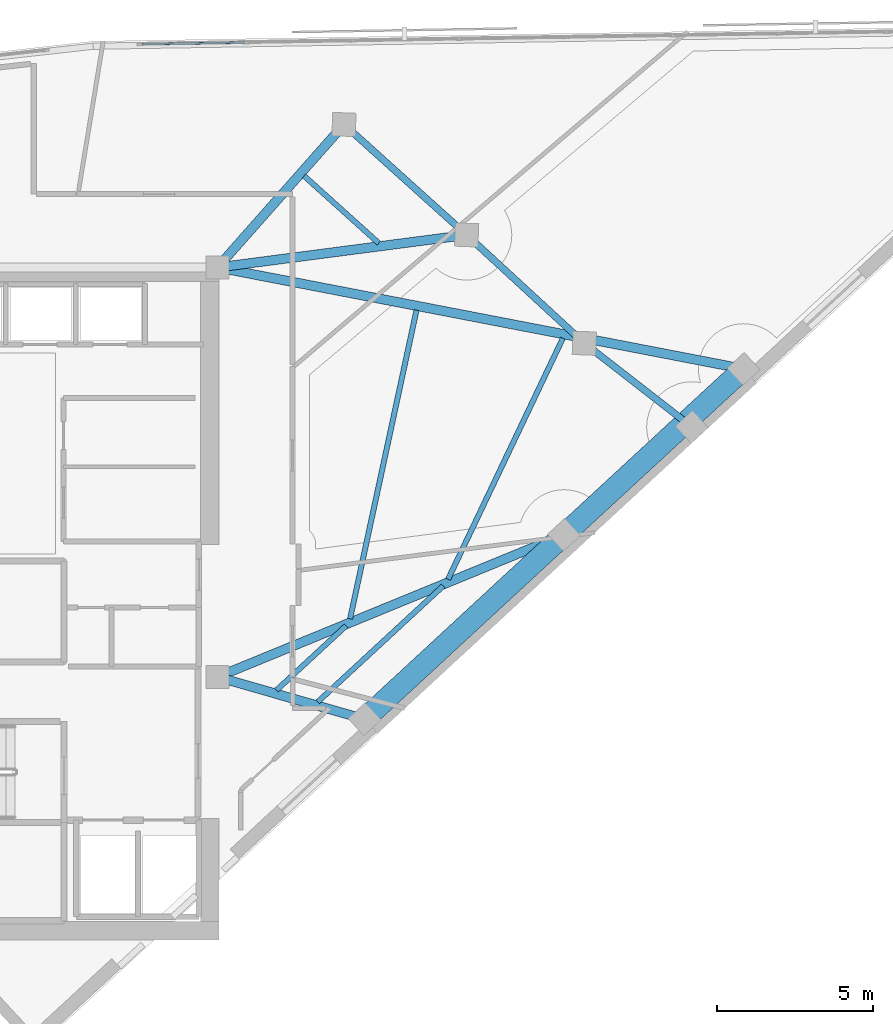
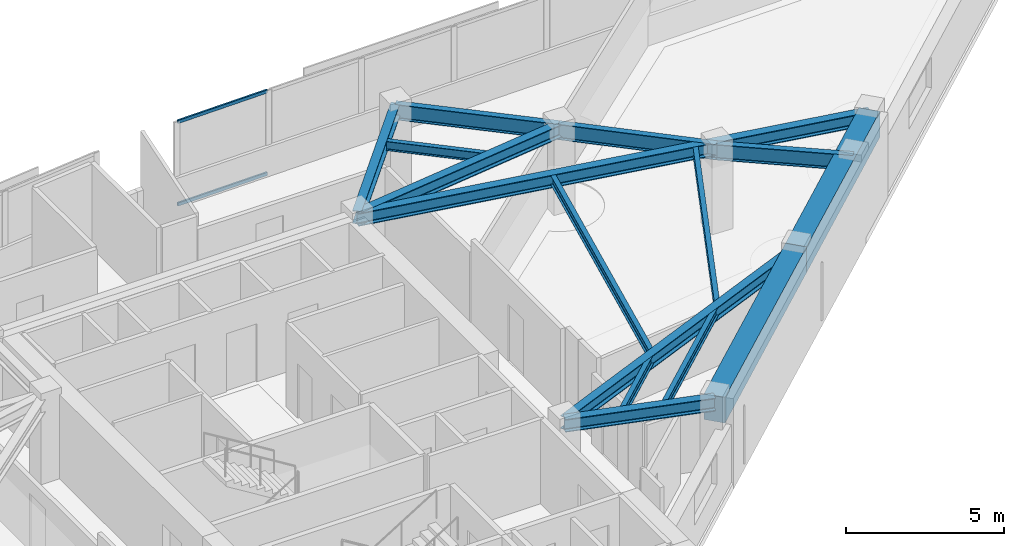
# One storey, part 4 of 13: 15 beams, 2 members, 1 element without a shape of its own.
"""IFC4 building model written with IfcOpenShell, lengths in metres."""

from ifc_helpers import new_model, si_unit, direction, frame, origin, origin_2d, place, context, subcontext, project, spatial, rectangle, hollow_rectangle, i_section, extrude, material, material_profile, profile_set, type_object, element, aggregate, save


model = new_model("IFC4")

# Units and contexts
model_context = context("Model", 3, precision=1e-05, world=origin(), true_north=direction((0.0, 1.0)))
body_context = subcontext(model_context, "Body", "Model", "MODEL_VIEW")
ifc_project = project(units=[si_unit("LENGTHUNIT", "METRE"), si_unit("AREAUNIT", "SQUARE_METRE"), si_unit("VOLUMEUNIT", "CUBIC_METRE"), si_unit("PLANEANGLEUNIT", "RADIAN"), si_unit("MASSUNIT", "GRAM", prefix="KILO")], contexts=[model_context])

# Site, building, storey
site_placement = place(None, origin())
site = spatial("IfcSite", under=ifc_project, at=site_placement, CompositionType="ELEMENT")
building_placement = place(site_placement, origin())
building = spatial("IfcBuilding", under=site, at=building_placement, Name="Narakoshi Arena Tower", CompositionType="ELEMENT")
storey_placement = place(building_placement, frame((0.0, 0.0, 278.340087890625)))
storey = spatial("IfcBuildingStorey", under=building, at=storey_placement, Name="L76", CompositionType="ELEMENT", Elevation=278.340087890625)

# Beams
ifc_material_1 = material(Name="Concrete C60/75", Category="concrete")
ifc_material_profile_1 = material_profile(ifc_material_1, rectangle(XDim=0.699951171875, YDim=1.0, at=origin_2d()), Name="RCB700x1000")
ifc_profile_set_1 = profile_set([ifc_material_profile_1], Name="Concrete C60/75")
beam_type_1 = type_object("IfcBeamType", Name="BM-CPL-1000", PredefinedType="BEAM", material=ifc_profile_set_1)
beam_1_placement = place(storey_placement, frame((90.2734375, 41.992919921875, 2.760009765625), z_axis=(0.734326819586, 0.678796082809, 0.0), x_axis=(-0.678796082809, 0.734326819586, 0.0)))
element("IfcBeam", 1, at=beam_1_placement, inside=storey, type_object=beam_type_1, Name="L76 Perimeter Edge Girder 01", PredefinedType="BEAM", context=body_context, shape_type="SweptSolid", body=[
    extrude(rectangle(XDim=0.699951171875, YDim=1.0, at=origin_2d()), origin(), (0.0, 0.0, 1.0), 8.72265625),
])
beam_2_placement = place(storey_placement, frame((96.6787109375, 47.913818359375, 2.760009765625), z_axis=(0.734333489286, 0.678788867405, 0.0), x_axis=(-0.678788867405, 0.734333489286, 0.0)))
element("IfcBeam", 2, at=beam_2_placement, inside=storey, type_object=beam_type_1, Name="L76 Perimeter Edge Girder 02", PredefinedType="BEAM", context=body_context, shape_type="SweptSolid", body=[
    extrude(rectangle(XDim=0.699951171875, YDim=1.0, at=origin_2d()), origin(), (0.0, 0.0, 1.0), 7.85009765625),
])
ifc_material_2 = material(Name="Structural steel S355J2", Category="steel")
ifc_material_profile_2 = material_profile(ifc_material_2, i_section(OverallWidth=0.219970703125, OverallDepth=0.60009765625, WebThickness=0.011962890625, FlangeThickness=0.01904296875, FilletRadius=0.02392578125, at=origin_2d()), Name="IPE600")
ifc_profile_set_2 = profile_set([ifc_material_profile_2], Name="Structural steel S355J2")
beam_type_2 = type_object("IfcBeamType", Name="BM-EDGE-600", PredefinedType="BEAM", material=ifc_profile_set_2)
beam_3_placement = place(storey_placement, frame((100.78173828125, 51.379638671875, 2.9599609375), z_axis=(-0.789307135535, 0.613998571491, 0.0), x_axis=(-0.613998571491, -0.789307135535, 0.0)))
element("IfcBeam", 3, at=beam_3_placement, inside=storey, type_object=beam_type_2, Name="L76 Perimeter Edge Girder 04", PredefinedType="BEAM", context=body_context, shape_type="SweptSolid", body=[
    extrude(i_section(OverallWidth=0.219970703125, OverallDepth=0.60009765625, WebThickness=0.011962890625, FlangeThickness=0.01904296875, FilletRadius=0.02392578125, at=origin_2d()), origin(), (0.0, 0.0, 1.0), 4.374267578125),
])
beam_4_placement = place(storey_placement, frame((97.3291015625, 54.0654296875, 2.9599609375), z_axis=(-0.735759504933, 0.677242903914, 0.0), x_axis=(-0.677242903914, -0.735759504933, 0.0)))
element("IfcBeam", 4, at=beam_4_placement, inside=storey, type_object=beam_type_2, Name="L76 Perimeter Edge Girder 05", PredefinedType="BEAM", context=body_context, shape_type="SweptSolid", body=[
    extrude(i_section(OverallWidth=0.219970703125, OverallDepth=0.60009765625, WebThickness=0.011962890625, FlangeThickness=0.01904296875, FilletRadius=0.02392578125, at=origin_2d()), origin(), (0.0, 0.0, 1.0), 5.135986328125),
])
beam_5_placement = place(storey_placement, frame((93.55029296875, 57.543701171875, 2.9599609375), z_axis=(-0.743147547665, 0.66912758305, 0.0), x_axis=(-0.66912758305, -0.743147547665, 0.0)))
element("IfcBeam", 5, at=beam_5_placement, inside=storey, type_object=beam_type_2, Name="L76 Perimeter Edge Girder 06", PredefinedType="BEAM", context=body_context, shape_type="SweptSolid", body=[
    extrude(i_section(OverallWidth=0.219970703125, OverallDepth=0.60009765625, WebThickness=0.011962890625, FlangeThickness=0.01904296875, FilletRadius=0.02392578125, at=origin_2d()), origin(), (0.0, 0.0, 1.0), 5.30029296875),
])
ifc_material_profile_3 = material_profile(ifc_material_2, i_section(OverallWidth=0.300048828125, OverallDepth=0.5, WebThickness=0.014404296875, FlangeThickness=0.028076171875, FilletRadius=0.027099609375, at=origin_2d()), Name="HE500B")
ifc_profile_set_3 = profile_set([ifc_material_profile_3], Name="Structural steel S355J2")
beam_type_3 = type_object("IfcBeamType", Name="BM-PRI-500", PredefinedType="BEAM", material=ifc_profile_set_3)
beam_6_placement = place(storey_placement, frame((85.550048828125, 43.35009765625, 3.010009765625), z_axis=(0.961112330887, -0.276157721993, 0.0), x_axis=(0.276157721993, 0.961112330887, 0.0)))
element("IfcBeam", 6, at=beam_6_placement, inside=storey, type_object=beam_type_3, Name="L76 Radial Primary Floor Girder 01", PredefinedType="BEAM", context=body_context, shape_type="SweptSolid", body=[
    extrude(i_section(OverallWidth=0.300048828125, OverallDepth=0.5, WebThickness=0.014404296875, FlangeThickness=0.028076171875, FilletRadius=0.027099609375, at=origin_2d()), origin(), (0.0, 0.0, 1.0), 4.91455078125),
])
beam_7_placement = place(storey_placement, frame((85.550048828125, 43.35009765625, 3.010009765625), z_axis=(0.925223618811, 0.379422265021, 0.0), x_axis=(-0.379422265021, 0.925223618811, 0.0)))
element("IfcBeam", 7, at=beam_7_placement, inside=storey, type_object=beam_type_3, Name="L76 Radial Primary Floor Girder 02", PredefinedType="BEAM", context=body_context, shape_type="SweptSolid", body=[
    extrude(i_section(OverallWidth=0.300048828125, OverallDepth=0.5, WebThickness=0.014404296875, FlangeThickness=0.028076171875, FilletRadius=0.027099609375, at=origin_2d()), origin(), (0.0, 0.0, 1.0), 12.028076171875),
])
beam_8_placement = place(storey_placement, frame((85.550048828125, 56.5, 3.010009765625), z_axis=(0.98191087483, -0.189343692505, 0.0), x_axis=(0.189343692505, 0.98191087483, 0.0)))
element("IfcBeam", 8, at=beam_8_placement, inside=storey, type_object=beam_type_3, Name="L76 Radial Primary Floor Girder 03", PredefinedType="BEAM", context=body_context, shape_type="SweptSolid", body=[
    extrude(i_section(OverallWidth=0.300048828125, OverallDepth=0.5, WebThickness=0.014404296875, FlangeThickness=0.028076171875, FilletRadius=0.027099609375, at=origin_2d()), origin(), (0.0, 0.0, 1.0), 17.20458984375),
])
beam_9_placement = place(storey_placement, frame((85.550048828125, 56.5, 3.010009765625), z_axis=(0.991597373641, 0.129362469783, 0.0), x_axis=(-0.129362469783, 0.991597373641, 0.0)))
element("IfcBeam", 9, at=beam_9_placement, inside=storey, type_object=beam_type_3, Name="L76 Radial Primary Floor Girder 06", PredefinedType="BEAM", context=body_context, shape_type="SweptSolid", body=[
    extrude(i_section(OverallWidth=0.300048828125, OverallDepth=0.5, WebThickness=0.014404296875, FlangeThickness=0.028076171875, FilletRadius=0.027099609375, at=origin_2d()), origin(), (0.0, 0.0, 1.0), 8.068115234375),
])
beam_10_placement = place(storey_placement, frame((85.550048828125, 56.5, 3.010009765625), z_axis=(0.662628886894, 0.748947900894, 0.0), x_axis=(-0.748947900894, 0.662628886894, 0.0)))
element("IfcBeam", 10, at=beam_10_placement, inside=storey, type_object=beam_type_3, Name="L76 Radial Primary Floor Girder 07", PredefinedType="BEAM", context=body_context, shape_type="SweptSolid", body=[
    extrude(i_section(OverallWidth=0.300048828125, OverallDepth=0.5, WebThickness=0.014404296875, FlangeThickness=0.028076171875, FilletRadius=0.027099609375, at=origin_2d()), origin(), (0.0, 0.0, 1.0), 6.129150390625),
])
ifc_material_profile_4 = material_profile(ifc_material_2, i_section(OverallWidth=0.169921875, OverallDepth=0.360107421875, WebThickness=0.008056640625, FlangeThickness=0.0126953125, FilletRadius=0.01806640625, at=origin_2d()), Name="IPE360")
ifc_profile_set_4 = profile_set([ifc_material_profile_4], Name="Structural steel S355J2")
beam_type_4 = type_object("IfcBeamType", Name="BM-SEC-360", PredefinedType="JOIST", material=ifc_profile_set_4)
beam_11_placement = place(storey_placement, frame((87.444091796875, 42.92578125, 3.079833984375), z_axis=(0.734268297495, 0.678859386982, 0.0), x_axis=(-0.678859386982, 0.734268297495, 0.0)))
element("IfcBeam", 11, at=beam_11_placement, inside=storey, type_object=beam_type_4, Name="L76 Composite Secondary Floor Joist 01", PredefinedType="JOIST", context=body_context, shape_type="SweptSolid", body=[
    extrude(i_section(OverallWidth=0.169921875, OverallDepth=0.360107421875, WebThickness=0.008056640625, FlangeThickness=0.0126953125, FilletRadius=0.01806640625, at=origin_2d()), origin(), (0.0, 0.0, 1.0), 3.044677734375),
])
beam_12_placement = place(storey_placement, frame((88.7666015625, 42.5458984375, 3.079833984375), z_axis=(0.734325629348, 0.678797370415, 0.0), x_axis=(-0.678797370415, 0.734325629348, 0.0)))
element("IfcBeam", 12, at=beam_12_placement, inside=storey, type_object=beam_type_4, Name="L76 Composite Secondary Floor Joist 02", PredefinedType="JOIST", context=body_context, shape_type="SweptSolid", body=[
    extrude(i_section(OverallWidth=0.169921875, OverallDepth=0.360107421875, WebThickness=0.008056640625, FlangeThickness=0.0126953125, FilletRadius=0.01806640625, at=origin_2d()), origin(), (0.0, 0.0, 1.0), 5.487060546875),
])
beam_13_placement = place(storey_placement, frame((89.807373046875, 45.21630859375, 3.079833984375), z_axis=(0.210415196276, 0.977612113865, 0.0), x_axis=(-0.977612113865, 0.210415196276, 0.0)))
element("IfcBeam", 13, at=beam_13_placement, inside=storey, type_object=beam_type_4, Name="L76 Composite Secondary Floor Joist 03", PredefinedType="JOIST", context=body_context, shape_type="SweptSolid", body=[
    extrude(i_section(OverallWidth=0.169921875, OverallDepth=0.360107421875, WebThickness=0.008056640625, FlangeThickness=0.0126953125, FilletRadius=0.01806640625, at=origin_2d()), origin(), (0.0, 0.0, 1.0), 10.140869140625),
])
beam_14_placement = place(storey_placement, frame((92.952880859375, 46.48388671875, 3.079833984375), z_axis=(0.430020856008, 0.902818953832, 0.0), x_axis=(-0.902818953832, 0.430020856008, 0.0)))
element("IfcBeam", 14, at=beam_14_placement, inside=storey, type_object=beam_type_4, Name="L76 Composite Secondary Floor Joist 04", PredefinedType="JOIST", context=body_context, shape_type="SweptSolid", body=[
    extrude(i_section(OverallWidth=0.169921875, OverallDepth=0.360107421875, WebThickness=0.008056640625, FlangeThickness=0.0126953125, FilletRadius=0.01806640625, at=origin_2d()), origin(), (0.0, 0.0, 1.0), 8.578125),
])
beam_15_placement = place(storey_placement, frame((90.72998046875, 57.279052734375, 3.079833984375), z_axis=(-0.743154999107, 0.669119307225, 0.0), x_axis=(-0.669119307225, -0.743154999107, 0.0)))
element("IfcBeam", 15, at=beam_15_placement, inside=storey, type_object=beam_type_4, Name="L76 Composite Secondary Floor Joist 05", PredefinedType="JOIST", context=body_context, shape_type="SweptSolid", body=[
    extrude(i_section(OverallWidth=0.169921875, OverallDepth=0.360107421875, WebThickness=0.008056640625, FlangeThickness=0.0126953125, FilletRadius=0.01806640625, at=origin_2d()), origin(), (0.0, 0.0, 1.0), 3.228271484375),
])

# Curtain wall, members
ifc_material_3 = material(Name="Anodised bronze aluminium 6063-T6", Category="aluminium")
curtain_wall_type = type_object("IfcCurtainWallType", Name="CW-HYP-HIGH", PredefinedType="NOTDEFINED", material=ifc_material_3)
curtain_wall_placement = place(storey_placement, origin())
curtain_wall = element("IfcCurtainWall", 16, at=curtain_wall_placement, inside=storey, type_object=curtain_wall_type, Name="L76 Folded Hypotenuse Curtain Wall 1-1", PredefinedType="NOTDEFINED")
ifc_material_profile_5 = material_profile(ifc_material_3, hollow_rectangle(XDim=0.06494140625, YDim=0.1298828125, WallThickness=0.00390625, OuterFilletRadius=0.0048828125, at=origin_2d()), Name="TRN130x65x4")
ifc_profile_set_5 = profile_set([ifc_material_profile_5], Name="Anodised bronze aluminium 6063-T6")
member_type = type_object("IfcMemberType", Name="MEM-TRN-130", PredefinedType="USERDEFINED", material=ifc_profile_set_5)
member_1_placement = place(storey_placement, frame((86.427978515625, 63.72314453125, 0.032470703125), z_axis=(-0.999864541825, -0.016458979318, 0.0), x_axis=(0.016458979318, -0.999864541825, 0.0)))
member_1 = element("IfcMember", 17, at=member_1_placement, type_object=member_type, Name="CW-03 transom 8.1", ObjectType="TRANSOM", PredefinedType="USERDEFINED", context=body_context, shape_type="SweptSolid", body=[
    extrude(hollow_rectangle(XDim=0.06494140625, YDim=0.1298828125, WallThickness=0.00390625, OuterFilletRadius=0.0048828125, at=origin_2d()), origin(), (0.0, 0.0, 1.0), 3.307861328125),
])
member_2_placement = place(storey_placement, frame((86.427978515625, 63.72314453125, 3.227294921875), z_axis=(-0.999864541825, -0.016458979318, 0.0), x_axis=(0.016458979318, -0.999864541825, 0.0)))
member_2 = element("IfcMember", 18, at=member_2_placement, type_object=member_type, Name="CW-03 transom 8.2", ObjectType="TRANSOM", PredefinedType="USERDEFINED", context=body_context, shape_type="SweptSolid", body=[
    extrude(hollow_rectangle(XDim=0.06494140625, YDim=0.1298828125, WallThickness=0.00390625, OuterFilletRadius=0.0048828125, at=origin_2d()), origin(), (0.0, 0.0, 1.0), 3.307861328125),
])
aggregate(curtain_wall, [member_1, member_2])

save(model, "model.ifc")
